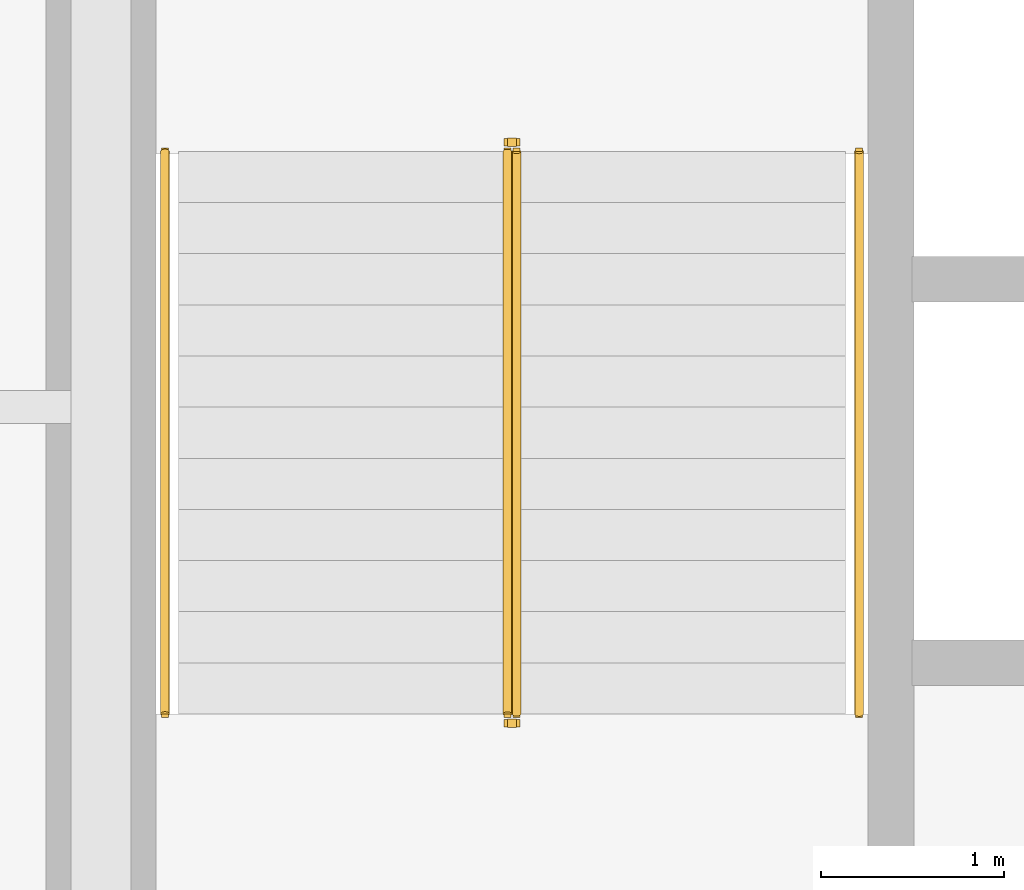
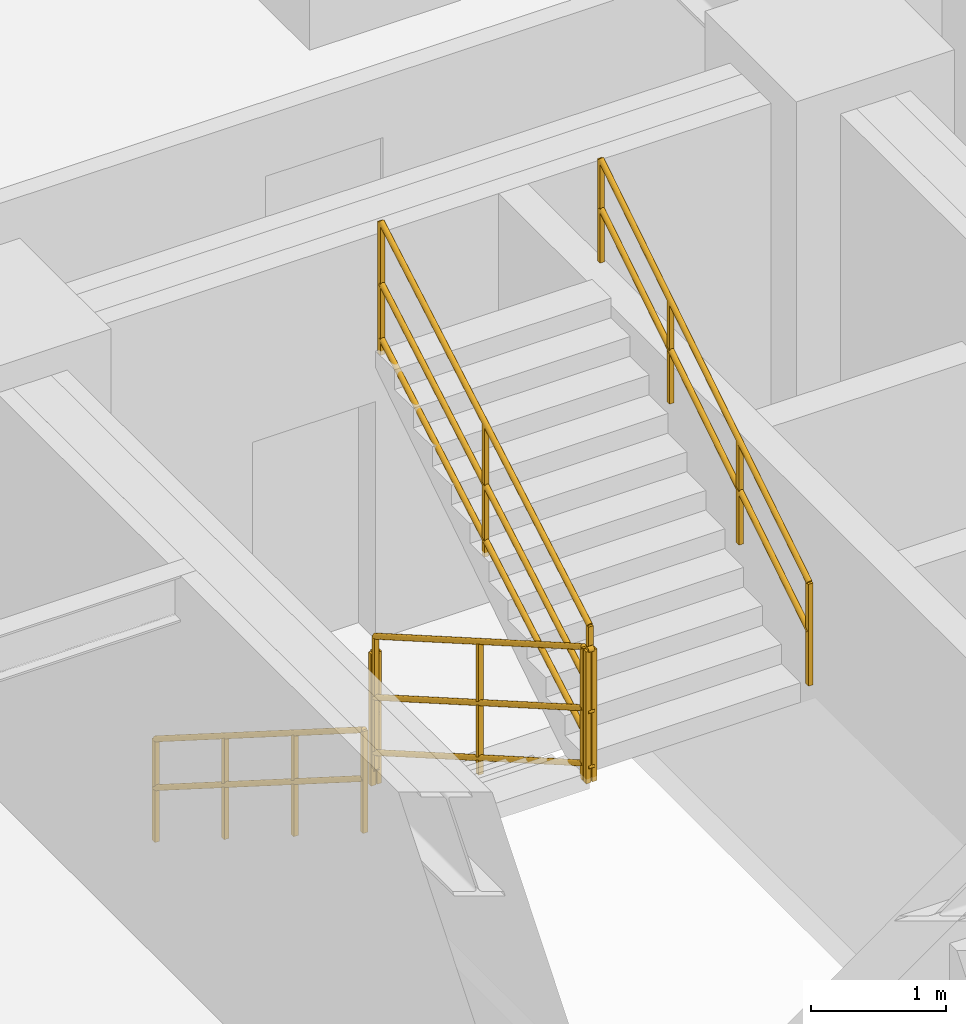
# One storey, part 9 of 9: 6 railings.
"""IFC4 building model written with IfcOpenShell, lengths in metres."""

from ifc_helpers import new_model, entity, si_unit, converted_unit, direction, frame, origin_with_axes, origin_2d_with_axis, place, context, subcontext, project, spatial, rectangle, circle, extrude, material, type_object, element, save


model = new_model("IFC4")

# Units and contexts
model_context = context("Model", 3, precision=1e-05, world=origin_with_axes(), true_north=direction((0.0, 1.0)))
body_context = subcontext(model_context, "Body", "Model", "MODEL_VIEW")
ifc_project = project(units=[si_unit("LENGTHUNIT", "METRE"), si_unit("AREAUNIT", "SQUARE_METRE"), si_unit("VOLUMEUNIT", "CUBIC_METRE"), converted_unit("PLANEANGLEUNIT", "DEGREE", entity("IfcPlaneAngleMeasure", 0.017453292519943295), si_unit("PLANEANGLEUNIT", "RADIAN"), dimensions=[0, 0, 0, 0, 0, 0, 0]), si_unit("MASSUNIT", "GRAM", prefix="KILO"), si_unit("THERMODYNAMICTEMPERATUREUNIT", "KELVIN")], contexts=[model_context])

# Site, building, storey
site_placement = place(None, origin_with_axes())
site = spatial("IfcSite", under=ifc_project, at=site_placement, CompositionType="ELEMENT")
building_placement = place(site_placement, origin_with_axes())
building = spatial("IfcBuilding", under=site, at=building_placement, Name="Varnlund Millrace Tower", CompositionType="ELEMENT")
storey_placement = place(building_placement, frame((0.0, 0.0, 60.0), z_axis=(0.0, 0.0, 1.0), x_axis=(1.0, 0.0, 0.0)))
storey = spatial("IfcBuildingStorey", under=building, at=storey_placement, Name="L14", CompositionType="ELEMENT", Elevation=60.0)

# Railings
ifc_material_1 = material(Name="Painted steel stair well balustrade guard", Category="steel")
railing_type_1 = type_object("IfcRailingType", Name="Type-StairGuard-1150", PredefinedType="GUARDRAIL", material=ifc_material_1)
railing_1_placement = place(storey_placement, frame((0.0, 0.0, -60.0), z_axis=(0.0, 0.0, 1.0), x_axis=(1.0, 0.0, 0.0)))
element("IfcRailing", 1, at=railing_1_placement, inside=storey, type_object=railing_type_1, Name="Type-StairGuard-1150", PredefinedType="GUARDRAIL", context=body_context, shape_type="SweptSolid", body=[
    extrude(circle(Radius=0.024, at=origin_2d_with_axis()), frame((13.625, 35.9, 61.327273), z_axis=(0.0, -0.866696, 0.498836), x_axis=(1.0, 0.0, 0.0)), (0.0, 0.0, 1.0), 3.553725),
    extrude(circle(Radius=0.024, at=origin_2d_with_axis()), frame((13.625, 35.9, 60.277273), z_axis=(0.0, -0.866696, 0.498836), x_axis=(1.0, 0.0, 0.0)), (0.0, 0.0, 1.0), 3.553725),
    extrude(circle(Radius=0.024, at=origin_2d_with_axis()), frame((13.625, 35.9, 60.775273), z_axis=(0.0, -0.866696, 0.498836), x_axis=(1.0, 0.0, 0.0)), (0.0, 0.0, 1.0), 3.553725),
    extrude(rectangle(XDim=0.04, YDim=0.04, at=origin_2d_with_axis()), frame((13.625, 35.9, 60.137273), z_axis=(0.0, 0.0, 1.0), x_axis=(1.0, 0.0, 0.0)), (0.0, 0.0, 1.0), 1.19),
    extrude(rectangle(XDim=0.04, YDim=0.04, at=origin_2d_with_axis()), frame((13.625, 34.36, 61.023637), z_axis=(0.0, 0.0, 1.0), x_axis=(1.0, 0.0, 0.0)), (0.0, 0.0, 1.0), 1.19),
    extrude(rectangle(XDim=0.04, YDim=0.04, at=origin_2d_with_axis()), frame((13.625, 32.82, 61.91), z_axis=(0.0, 0.0, 1.0), x_axis=(1.0, 0.0, 0.0)), (0.0, 0.0, 1.0), 1.19),
])
railing_2_placement = place(storey_placement, frame((0.0, 0.0, -60.0), z_axis=(0.0, 0.0, 1.0), x_axis=(1.0, 0.0, 0.0)))
element("IfcRailing", 2, at=railing_2_placement, inside=storey, type_object=railing_type_1, Name="Type-StairGuard-1150", PredefinedType="GUARDRAIL", context=body_context, shape_type="SweptSolid", body=[
    extrude(circle(Radius=0.024, at=origin_2d_with_axis()), frame((13.675, 32.77, 63.1), z_axis=(-1.0, 0.0, 0.0), x_axis=(0.0, -1.0, 0.0)), (0.0, 0.0, 1.0), 0.05),
    extrude(circle(Radius=0.024, at=origin_2d_with_axis()), frame((13.675, 32.77, 62.05), z_axis=(-1.0, 0.0, 0.0), x_axis=(0.0, -1.0, 0.0)), (0.0, 0.0, 1.0), 0.05),
    extrude(circle(Radius=0.024, at=origin_2d_with_axis()), frame((13.675, 32.77, 62.548), z_axis=(-1.0, 0.0, 0.0), x_axis=(0.0, -1.0, 0.0)), (0.0, 0.0, 1.0), 0.05),
    extrude(rectangle(XDim=0.04, YDim=0.04, at=origin_2d_with_axis()), frame((13.675, 32.77, 61.91), z_axis=(0.0, 0.0, 1.0), x_axis=(1.0, 0.0, 0.0)), (0.0, 0.0, 1.0), 1.19),
    extrude(rectangle(XDim=0.04, YDim=0.04, at=origin_2d_with_axis()), frame((13.625, 32.77, 61.91), z_axis=(0.0, 0.0, 1.0), x_axis=(1.0, 0.0, 0.0)), (0.0, 0.0, 1.0), 1.19),
])
railing_3_placement = place(storey_placement, frame((0.0, 0.0, -60.0), z_axis=(0.0, 0.0, 1.0), x_axis=(1.0, 0.0, 0.0)))
element("IfcRailing", 3, at=railing_3_placement, inside=storey, type_object=railing_type_1, Name="Type-StairGuard-1150", PredefinedType="GUARDRAIL", context=body_context, shape_type="SweptSolid", body=[
    extrude(circle(Radius=0.024, at=origin_2d_with_axis()), frame((13.675, 32.82, 63.277273), z_axis=(0.0, 0.866696, 0.498836), x_axis=(-1.0, 0.0, 0.0)), (0.0, 0.0, 1.0), 3.553725),
    extrude(circle(Radius=0.024, at=origin_2d_with_axis()), frame((13.675, 32.82, 62.227273), z_axis=(0.0, 0.866696, 0.498836), x_axis=(-1.0, 0.0, 0.0)), (0.0, 0.0, 1.0), 3.553725),
    extrude(circle(Radius=0.024, at=origin_2d_with_axis()), frame((13.675, 32.82, 62.725273), z_axis=(0.0, 0.866696, 0.498836), x_axis=(-1.0, 0.0, 0.0)), (0.0, 0.0, 1.0), 3.553725),
    extrude(rectangle(XDim=0.04, YDim=0.04, at=origin_2d_with_axis()), frame((13.675, 32.82, 62.087273), z_axis=(0.0, 0.0, 1.0), x_axis=(1.0, 0.0, 0.0)), (0.0, 0.0, 1.0), 1.19),
    extrude(rectangle(XDim=0.04, YDim=0.04, at=origin_2d_with_axis()), frame((13.675, 34.36, 62.973637), z_axis=(0.0, 0.0, 1.0), x_axis=(1.0, 0.0, 0.0)), (0.0, 0.0, 1.0), 1.19),
    extrude(rectangle(XDim=0.04, YDim=0.04, at=origin_2d_with_axis()), frame((13.675, 35.9, 63.86), z_axis=(0.0, 0.0, 1.0), x_axis=(1.0, 0.0, 0.0)), (0.0, 0.0, 1.0), 1.19),
])
railing_4_placement = place(storey_placement, frame((0.0, 0.0, -60.0), z_axis=(0.0, 0.0, 1.0), x_axis=(1.0, 0.0, 0.0)))
element("IfcRailing", 4, at=railing_4_placement, inside=storey, type_object=railing_type_1, Name="Type-StairGuard-1150", PredefinedType="GUARDRAIL", context=body_context, shape_type="SweptSolid", body=[
    extrude(circle(Radius=0.024, at=origin_2d_with_axis()), frame((13.675, 35.95, 61.15), z_axis=(-1.0, 0.0, 0.0), x_axis=(0.0, -1.0, 0.0)), (0.0, 0.0, 1.0), 0.05),
    extrude(circle(Radius=0.024, at=origin_2d_with_axis()), frame((13.675, 35.95, 60.1), z_axis=(-1.0, 0.0, 0.0), x_axis=(0.0, -1.0, 0.0)), (0.0, 0.0, 1.0), 0.05),
    extrude(circle(Radius=0.024, at=origin_2d_with_axis()), frame((13.675, 35.95, 60.598), z_axis=(-1.0, 0.0, 0.0), x_axis=(0.0, -1.0, 0.0)), (0.0, 0.0, 1.0), 0.05),
    extrude(rectangle(XDim=0.04, YDim=0.04, at=origin_2d_with_axis()), frame((13.675, 35.95, 59.96), z_axis=(0.0, 0.0, 1.0), x_axis=(1.0, 0.0, 0.0)), (0.0, 0.0, 1.0), 1.19),
    extrude(rectangle(XDim=0.04, YDim=0.04, at=origin_2d_with_axis()), frame((13.625, 35.95, 59.96), z_axis=(0.0, 0.0, 1.0), x_axis=(1.0, 0.0, 0.0)), (0.0, 0.0, 1.0), 1.19),
])
ifc_material_2 = material(Name="Brushed architectural bronze stair handrail", Category="aluminium")
railing_type_2 = type_object("IfcRailingType", Name="Type-StairHandrail-900", PredefinedType="HANDRAIL", material=ifc_material_2)
railing_5_placement = place(storey_placement, frame((0.0, 0.0, -60.0), z_axis=(0.0, 0.0, 1.0), x_axis=(1.0, 0.0, 0.0)))
element("IfcRailing", 5, at=railing_5_placement, inside=storey, type_object=railing_type_2, Name="Type-StairHandrail-900", PredefinedType="HANDRAIL", context=body_context, shape_type="SweptSolid", body=[
    extrude(circle(Radius=0.024, at=origin_2d_with_axis()), frame((11.75, 35.9, 61.056995), z_axis=(0.0, -0.844902, 0.534922), x_axis=(1.0, 0.0, 0.0)), (0.0, 0.0, 1.0), 3.645394),
    extrude(circle(Radius=0.024, at=origin_2d_with_axis()), frame((11.75, 35.9, 60.617134), z_axis=(0.0, -0.844902, 0.534922), x_axis=(1.0, 0.0, 0.0)), (0.0, 0.0, 1.0), 3.645394),
    extrude(rectangle(XDim=0.04, YDim=0.04, at=origin_2d_with_axis()), frame((11.75, 35.9, 60.137273), z_axis=(0.0, 0.0, 1.0), x_axis=(1.0, 0.0, 0.0)), (0.0, 0.0, 1.0), 0.919722),
    extrude(rectangle(XDim=0.04, YDim=0.04, at=origin_2d_with_axis()), frame((11.75, 34.873333, 60.787273), z_axis=(0.0, 0.0, 1.0), x_axis=(1.0, 0.0, 0.0)), (0.0, 0.0, 1.0), 0.919722),
    extrude(rectangle(XDim=0.04, YDim=0.04, at=origin_2d_with_axis()), frame((11.75, 33.846667, 61.437273), z_axis=(0.0, 0.0, 1.0), x_axis=(1.0, 0.0, 0.0)), (0.0, 0.0, 1.0), 0.919722),
    extrude(rectangle(XDim=0.04, YDim=0.04, at=origin_2d_with_axis()), frame((11.75, 32.82, 62.087273), z_axis=(0.0, 0.0, 1.0), x_axis=(1.0, 0.0, 0.0)), (0.0, 0.0, 1.0), 0.919722),
])
railing_6_placement = place(storey_placement, frame((0.0, 0.0, -60.0), z_axis=(0.0, 0.0, 1.0), x_axis=(1.0, 0.0, 0.0)))
element("IfcRailing", 6, at=railing_6_placement, inside=storey, type_object=railing_type_2, Name="Type-StairHandrail-900", PredefinedType="HANDRAIL", context=body_context, shape_type="SweptSolid", body=[
    extrude(circle(Radius=0.024, at=origin_2d_with_axis()), frame((15.55, 32.82, 63.006995), z_axis=(0.0, 0.844902, 0.534922), x_axis=(-1.0, 0.0, 0.0)), (0.0, 0.0, 1.0), 3.645394),
    extrude(circle(Radius=0.024, at=origin_2d_with_axis()), frame((15.55, 32.82, 62.567134), z_axis=(0.0, 0.844902, 0.534922), x_axis=(-1.0, 0.0, 0.0)), (0.0, 0.0, 1.0), 3.645394),
    extrude(rectangle(XDim=0.04, YDim=0.04, at=origin_2d_with_axis()), frame((15.55, 32.82, 62.087273), z_axis=(0.0, 0.0, 1.0), x_axis=(1.0, 0.0, 0.0)), (0.0, 0.0, 1.0), 0.919722),
    extrude(rectangle(XDim=0.04, YDim=0.04, at=origin_2d_with_axis()), frame((15.55, 33.846667, 62.737273), z_axis=(0.0, 0.0, 1.0), x_axis=(1.0, 0.0, 0.0)), (0.0, 0.0, 1.0), 0.919722),
    extrude(rectangle(XDim=0.04, YDim=0.04, at=origin_2d_with_axis()), frame((15.55, 34.873333, 63.387273), z_axis=(0.0, 0.0, 1.0), x_axis=(1.0, 0.0, 0.0)), (0.0, 0.0, 1.0), 0.919722),
    extrude(rectangle(XDim=0.04, YDim=0.04, at=origin_2d_with_axis()), frame((15.55, 35.9, 64.037273), z_axis=(0.0, 0.0, 1.0), x_axis=(1.0, 0.0, 0.0)), (0.0, 0.0, 1.0), 0.919722),
])

save(model, "model.ifc")
